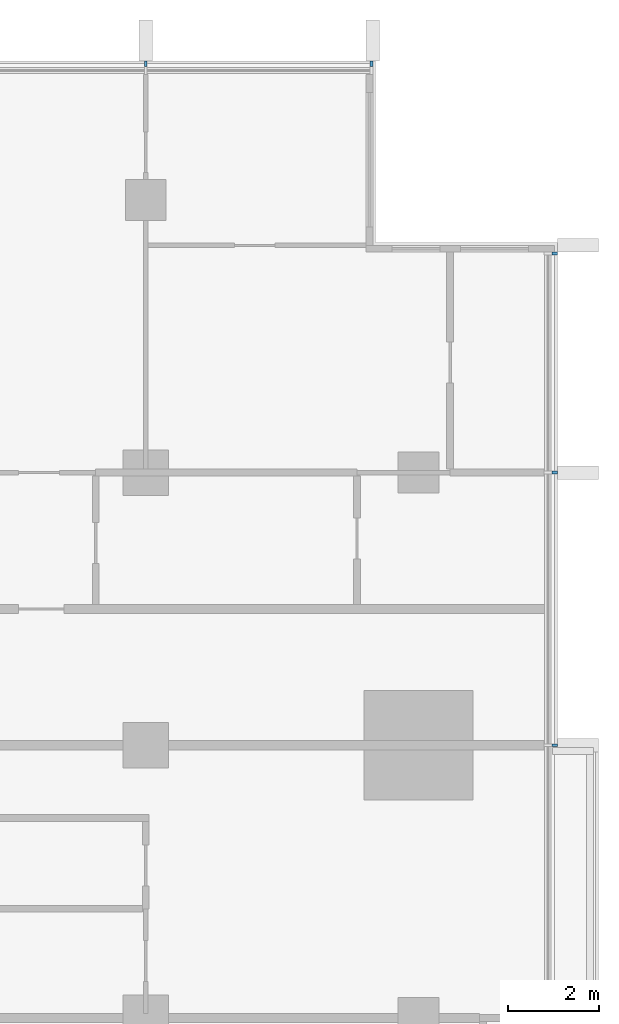
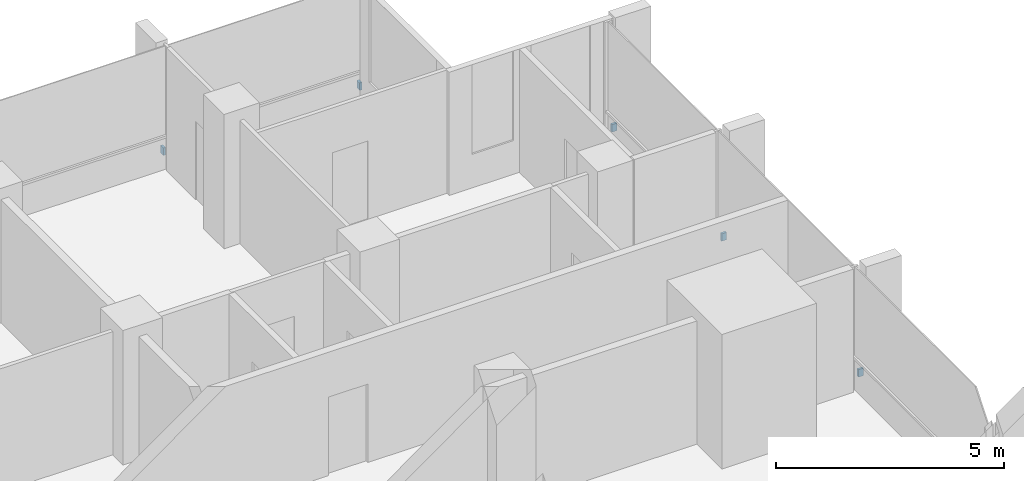
# One storey, part 15 of 16: 5 discrete accessories.
"""IFC4 building model written with IfcOpenShell, lengths in metres."""

import ifcopenshell
import ifcopenshell.guid

model = None  # the IFC model being written
_history = None  # IfcOwnerHistory: only IFC2X3 demands one
_inside = {}  # id of a spatial element -> (the spatial element, [elements in it])
_under = {}  # id of a project, library or spatial element -> (it, [spatial elements below it])
_declared = {}  # id of a project -> (the project, [libraries it declares])
_typed = {}  # id of a type object -> (the type object, [elements of that type])
_made_of = {}  # id of a material, layer set ... -> (it, [elements and type objects made of it])


def new_model(schema):
    """Start an empty IFC model of exactly this schema.

    Asked for "IFC4X3", IfcOpenShell would pick the latest addendum, in which some entities
    have other attributes; the version numbers below select the first issue.
    IFC2X3 requires an IfcOwnerHistory on every rooted entity: one is made here for all.
    """
    global model, _history
    if schema == "IFC4X3":
        model = ifcopenshell.file(schema_version=(4, 3, 0, 0))
    else:
        model = ifcopenshell.file(schema=schema)
    _inside.clear()
    _under.clear()
    _declared.clear()
    _typed.clear()
    _made_of.clear()
    _history = None
    if model.schema == "IFC2X3":
        org = make("IfcOrganization", Name="unknown")
        user = make(
            "IfcPersonAndOrganization",
            ThePerson=make("IfcPerson", FamilyName="unknown"),
            TheOrganization=org,
        )
        app = make(
            "IfcApplication",
            ApplicationDeveloper=org,
            Version="unknown",
            ApplicationFullName="unknown",
            ApplicationIdentifier="unknown",
        )
        _history = make(
            "IfcOwnerHistory",
            OwningUser=user,
            OwningApplication=app,
            ChangeAction="ADDED",
            CreationDate=0,
        )
    return model


def make(cls, **values):
    """One entity of the class cls with the attributes given. An attribute that is None is left unset."""
    return model.create_entity(
        cls, **{name: value for name, value in values.items() if value is not None}
    )


def rooted(cls, **values):
    """An entity with a GlobalId (a new one), such as an element, a storey or a relation."""
    return make(cls, GlobalId=ifcopenshell.guid.new(), OwnerHistory=_history, **values)


def si_unit(unit_type, name, prefix=None):
    """IfcSIUnit, for example si_unit("LENGTHUNIT", "METRE", prefix="MILLI")."""
    return make("IfcSIUnit", UnitType=unit_type, Prefix=prefix, Name=name)


def assignment(units):
    """IfcUnitAssignment: the units of a project."""
    return None if units is None else make("IfcUnitAssignment", Units=units)


def point(xyz):
    """IfcCartesianPoint."""
    return None if xyz is None else make("IfcCartesianPoint", Coordinates=xyz)


def direction(xyz):
    """IfcDirection."""
    return None if xyz is None else make("IfcDirection", DirectionRatios=xyz)


def frame(location, z_axis=None, x_axis=None):
    """IfcAxis2Placement3D, a coordinate frame: its origin and axes. An axis left out is left unset."""
    return make(
        "IfcAxis2Placement3D",
        Location=point(location),
        Axis=direction(z_axis),
        RefDirection=direction(x_axis),
    )


def frame_2d(location, x_axis=None):
    """IfcAxis2Placement2D, a coordinate frame in the plane: its origin and x axis."""
    return make(
        "IfcAxis2Placement2D", Location=point(location), RefDirection=direction(x_axis)
    )


def origin():
    """The frame at (0, 0, 0) with its axes left unset."""
    return frame((0.0, 0.0, 0.0))


def origin_2d():
    """The frame at (0, 0) in the plane with its x axis left unset."""
    return frame_2d((0.0, 0.0))


def place(relative_to, where):
    """IfcLocalPlacement: puts the frame where relative to a parent placement (None: the world)."""
    return make(
        "IfcLocalPlacement", PlacementRelTo=relative_to, RelativePlacement=where
    )


def context(
    kind, dimensions, precision=None, world=None, true_north=None, identifier=None
):
    """IfcGeometricRepresentationContext, for example the 3D "Model" context."""
    return make(
        "IfcGeometricRepresentationContext",
        ContextIdentifier=identifier,
        ContextType=kind,
        CoordinateSpaceDimension=dimensions,
        Precision=precision,
        WorldCoordinateSystem=world,
        TrueNorth=true_north,
    )


def subcontext(parent, identifier, kind, view, scale=None):
    """IfcGeometricRepresentationSubContext, for example "Body" below "Model"."""
    return make(
        "IfcGeometricRepresentationSubContext",
        ContextIdentifier=identifier,
        ContextType=kind,
        ParentContext=parent,
        TargetScale=scale,
        TargetView=view,
    )


def project(units=None, contexts=None):
    """IfcProject with its units and contexts."""
    return rooted(
        "IfcProject",
        Name="project",
        RepresentationContexts=contexts,
        UnitsInContext=assignment(units),
    )


def spatial(cls, under=None, at=None, **own):
    """A site, building, storey or space (cls), placed at a placement, below another one or the project."""
    s = rooted(cls, ObjectPlacement=at, **own)
    if under is not None:
        _under.setdefault(under.id(), (under, []))[1].append(s)
    return s


def profile(cls, at=None, kind="AREA", **sizes):
    """A parametric profile (cls). Its sizes go by their IFC names, for example OverallWidth=200.0."""
    return make(cls, ProfileType=kind, Position=at, **sizes)


def rectangle(**sizes):
    """IfcRectangleProfileDef."""
    return profile("IfcRectangleProfileDef", **sizes)


def extrude(swept, where, along, depth):
    """IfcExtrudedAreaSolid: the profile swept, set in the frame where, extruded along a direction by depth."""
    return make(
        "IfcExtrudedAreaSolid",
        SweptArea=swept,
        Position=where,
        ExtrudedDirection=direction(along),
        Depth=depth,
    )


def shape(context_of_items, identifier, shape_type, items):
    """IfcShapeRepresentation: the items that make up one representation, for example the "Body"."""
    return make(
        "IfcShapeRepresentation",
        ContextOfItems=context_of_items,
        RepresentationIdentifier=identifier,
        RepresentationType=shape_type,
        Items=items,
    )


def material(Name=None, Category=None):
    """IfcMaterial."""
    return make("IfcMaterial", Name=Name, Category=Category)


def made_of(thing, what):
    """Note that an element or type object is made of a material, layer set ...; save() writes the relation."""
    if what is not None:
        _made_of.setdefault(what.id(), (what, []))[1].append(thing)
    return thing


def type_object(cls, material=None, **own):
    """A type object (cls), such as IfcWallType, which elements share."""
    return made_of(rooted(cls, **own), material)


def element(
    cls,
    number,
    at=None,
    inside=None,
    cuts=None,
    type_object=None,
    material=None,
    context=None,
    identifier="Body",
    shape_type=None,
    held_by="IfcProductDefinitionShape",
    body=None,
    shapes=None,
    **own,
):
    """One element of the class cls, such as IfcWall. Its Tag is "e" and its number.

    at: its placement. inside: the storey or other place that contains it. cuts: it is an
    opening in that element (IfcRelVoidsElement). A single representation is given by context,
    identifier, shape_type and body (its items); several are given by shapes. held_by: the class
    of the entity that holds the representations. save() writes the other relations.
    """
    e = rooted(cls, Tag="e%d" % number, ObjectPlacement=at, **own)
    if body is not None:
        shapes = [shape(context, identifier, shape_type, body)]
    if shapes is not None:
        e.Representation = make(held_by, Representations=shapes)
    if inside is not None:
        _inside.setdefault(inside.id(), (inside, []))[1].append(e)
    if cuts is not None:
        rooted(
            "IfcRelVoidsElement", RelatingBuildingElement=cuts, RelatedOpeningElement=e
        )
    if type_object is not None:
        _typed.setdefault(type_object.id(), (type_object, []))[1].append(e)
    return made_of(e, material)


def aggregate(whole, parts):
    """IfcRelAggregates: a whole, such as a stair, and the parts it consists of."""
    return rooted("IfcRelAggregates", RelatingObject=whole, RelatedObjects=parts)


def save(model, path):
    """Write the relations noted so far, then the file.

    IfcRelAggregates (storeys below a building ...), IfcRelContainedInSpatialStructure (elements
    in a storey), IfcRelDefinesByType, IfcRelAssociatesMaterial and IfcRelDeclares: one each for
    every whole, place, type object, material and project.
    """
    for whole, parts in _under.values():
        aggregate(whole, parts)
    for where, things in _inside.values():
        rooted(
            "IfcRelContainedInSpatialStructure",
            RelatedElements=things,
            RelatingStructure=where,
        )
    for kind, things in _typed.values():
        rooted("IfcRelDefinesByType", RelatedObjects=things, RelatingType=kind)
    for what, things in _made_of.values():
        rooted("IfcRelAssociatesMaterial", RelatedObjects=things, RelatingMaterial=what)
    for by, libraries in _declared.values():
        rooted("IfcRelDeclares", RelatingContext=by, RelatedDefinitions=libraries)
    model.write(path)


model = new_model("IFC4")

# Units and contexts
model_context = context("Model", 3, precision=1e-05, world=origin(), true_north=direction((0.0, 1.0)))
body_context = subcontext(model_context, "Body", "Model", "MODEL_VIEW")
ifc_project = project(units=[si_unit("LENGTHUNIT", "METRE"), si_unit("AREAUNIT", "SQUARE_METRE"), si_unit("VOLUMEUNIT", "CUBIC_METRE"), si_unit("PLANEANGLEUNIT", "RADIAN"), si_unit("MASSUNIT", "GRAM", prefix="KILO")], contexts=[model_context])

# Site, building, storey
site_placement = place(None, origin())
site = spatial("IfcSite", under=ifc_project, at=site_placement, CompositionType="ELEMENT")
building_placement = place(site_placement, origin())
building = spatial("IfcBuilding", under=site, at=building_placement, Name="Finial Court Residences", CompositionType="ELEMENT")
storey_placement = place(building_placement, frame((0.0, 0.0, 163.699951171875)))
storey = spatial("IfcBuildingStorey", under=building, at=storey_placement, Name="L40", CompositionType="ELEMENT", Elevation=163.699951171875)

# Discrete accessories
ifc_material = material(Name="Stainless steel 316", Category="steel")
discrete_accessory_type = type_object("IfcDiscreteAccessoryType", Name="Fin bracket, stainless steel 60 x 122 x 200", PredefinedType="BRACKET", material=ifc_material)
for number, where, z_axis, x_axis, name in (
    (1, (10.5, 22.498779296875, 0.30029296875), (0.0, 0.0, 1.0), (1.0, 0.0, 0.0), "E-L40-FIN-N5-BRK"),
    (2, (15.469970703125, 22.498779296875, 0.30029296875), (0.0, 0.0, 1.0), (1.0, 0.0, 0.0), "E-L40-FIN-N6-BRK"),
):
    element("IfcDiscreteAccessory", number, at=place(storey_placement, frame(where, z_axis=z_axis, x_axis=x_axis)), inside=storey, type_object=discrete_accessory_type, Name=name, PredefinedType="BRACKET", context=body_context, shape_type="SweptSolid", body=[
        extrude(rectangle(XDim=0.06005859375, YDim=0.12255859375, at=origin_2d()), origin(), (0.0, 0.0, 1.0), 0.199951171875),
    ])
for number, where, z_axis, x_axis, name in (
    (3, (19.498779296875, 7.5, 0.30029296875), (0.0, 0.0, 1.0), (1.0, 0.0, 0.0), "E-L40-FIN-E11-BRK"),
    (4, (19.498779296875, 13.5, 0.30029296875), (0.0, 0.0, 1.0), (1.0, 0.0, 0.0), "E-L40-FIN-E12-BRK"),
    (5, (19.498779296875, 18.320068359375, 0.30029296875), (0.0, 0.0, 1.0), (1.0, 0.0, 0.0), "E-L40-FIN-E13-BRK"),
):
    element("IfcDiscreteAccessory", number, at=place(storey_placement, frame(where, z_axis=z_axis, x_axis=x_axis)), inside=storey, type_object=discrete_accessory_type, Name=name, PredefinedType="BRACKET", context=body_context, shape_type="SweptSolid", body=[
        extrude(rectangle(XDim=0.12255859375, YDim=0.06005859375, at=origin_2d()), origin(), (0.0, 0.0, 1.0), 0.199951171875),
    ])

save(model, "model.ifc")
